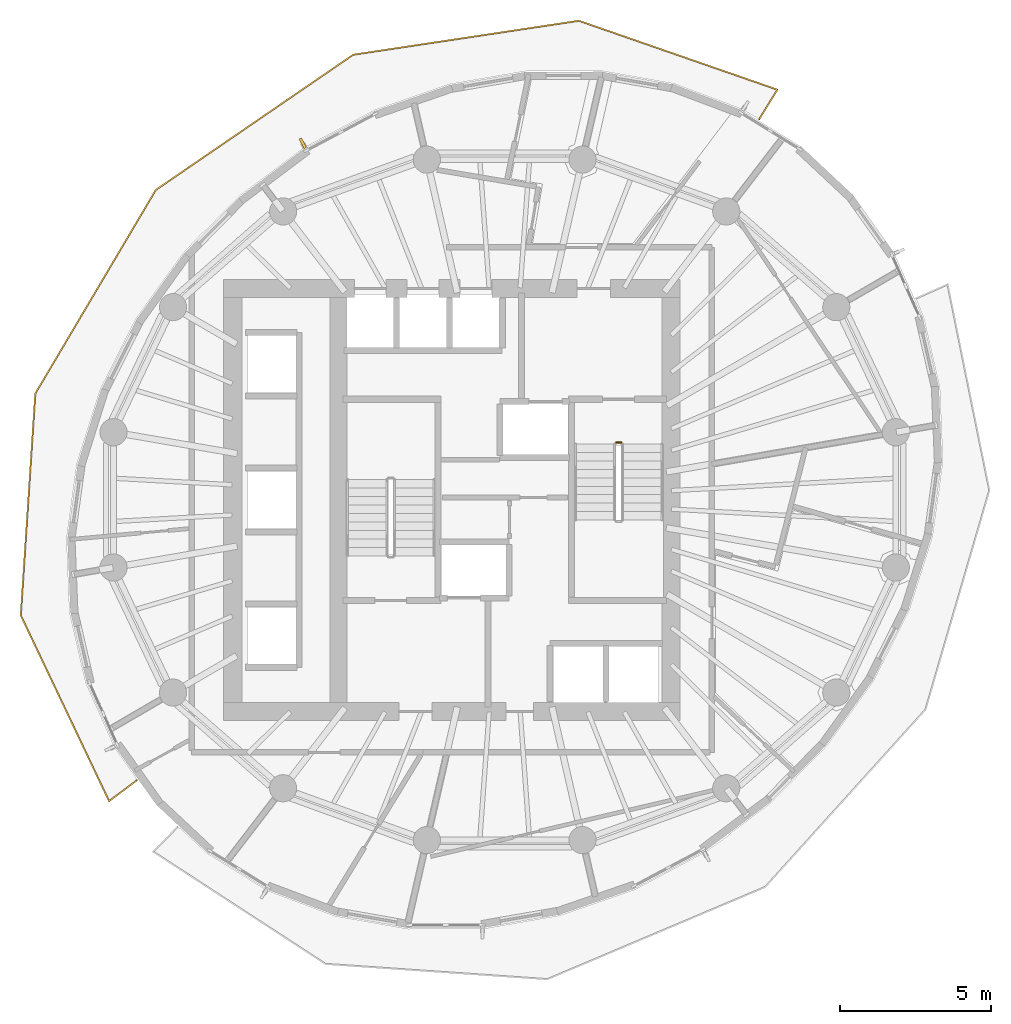
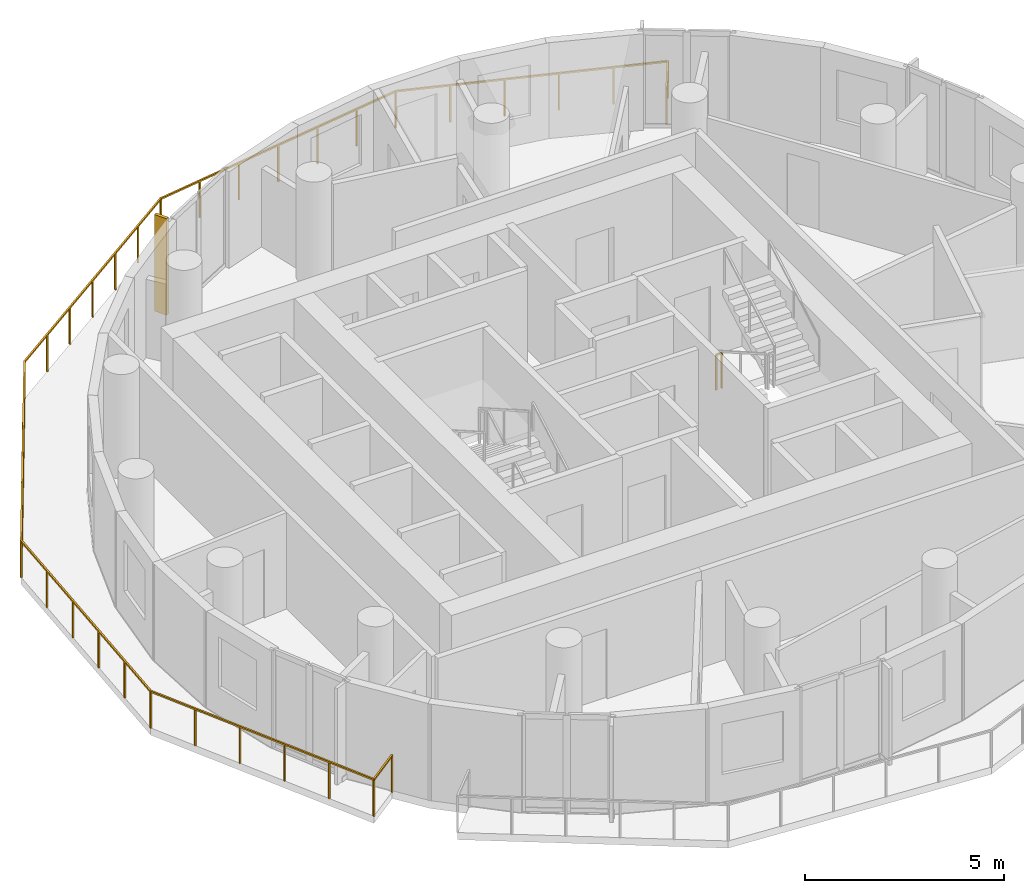
# One storey, part 9 of 10: 2 railings, 1 shading device.
"""IFC4 building model written with IfcOpenShell, lengths in metres."""

from ifc_helpers import new_model, si_unit, direction, frame, origin, origin_2d, place, context, subcontext, project, spatial, rectangle, extrude, material, layer, layer_set, type_object, element, save


model = new_model("IFC4")

# Units and contexts
model_context = context("Model", 3, precision=1e-05, world=origin(), true_north=direction((0.0, 1.0)))
body_context = subcontext(model_context, "Body", "Model", "MODEL_VIEW")
ifc_project = project(units=[si_unit("LENGTHUNIT", "METRE"), si_unit("AREAUNIT", "SQUARE_METRE"), si_unit("VOLUMEUNIT", "CUBIC_METRE"), si_unit("PLANEANGLEUNIT", "RADIAN"), si_unit("MASSUNIT", "GRAM", prefix="KILO")], contexts=[model_context])

# Site, building, storey
site_placement = place(None, origin())
site = spatial("IfcSite", under=ifc_project, at=site_placement, CompositionType="ELEMENT")
building_placement = place(site_placement, origin())
building = spatial("IfcBuilding", under=site, at=building_placement, Name="Veldorim Arch Residences", CompositionType="ELEMENT")
storey_placement = place(building_placement, frame((0.0, 0.0, 166.239990234375)))
storey = spatial("IfcBuildingStorey", under=building, at=storey_placement, Name="L49", CompositionType="ELEMENT", Elevation=166.239990234375)

# Railings
ifc_material_1 = material(Name="Aluminium", Category="aluminium")
railing_type_1 = type_object("IfcRailingType", Name="Balcony & Terrace Laminated Glass Balustrade 1150", PredefinedType="BALUSTRADE", material=ifc_material_1)
railing_1_placement = place(storey_placement, frame((40.425048828125, 36.59814453125, 0.0)))
element("IfcRailing", 1, at=railing_1_placement, inside=storey, type_object=railing_type_1, Name="L49 crescent balcony safety balustrade A", PredefinedType="BALUSTRADE", context=body_context, shape_type="SweptSolid", body=[
    extrude(rectangle(XDim=0.048095703125, YDim=0.048095703125, at=origin_2d()), frame((0.0, 0.0, 1.1259765625), z_axis=(0.524606682695, 0.851344717768, 0.0), x_axis=(-0.851344717768, 0.524606682695, 0.0)), (0.0, 0.0, 1.0), 1.14990234375),
    extrude(rectangle(XDim=0.048095703125, YDim=0.048095703125, at=origin_2d()), frame((0.603271484375, 0.97900390625, 1.1259765625), z_axis=(-0.944704924066, 0.32792164681, 0.0), x_axis=(-0.32792164681, -0.944704924066, 0.0)), (0.0, 0.0, 1.0), 6.956787109375),
    extrude(rectangle(XDim=0.048095703125, YDim=0.048095703125, at=origin_2d()), frame((-5.96875, 3.26025390625, 1.1259765625), z_axis=(-0.988865844183, -0.148809751723, 0.0), x_axis=(0.148809751723, -0.988865844183, 0.0)), (0.0, 0.0, 1.0), 7.55517578125),
    extrude(rectangle(XDim=0.048095703125, YDim=0.048095703125, at=origin_2d()), frame((-13.439697265625, 2.135986328125, 1.1259765625), z_axis=(-0.824983479583, -0.565156844085, 0.0), x_axis=(0.565156844085, -0.824983479583, 0.0)), (0.0, 0.0, 1.0), 7.919189453125),
    extrude(rectangle(XDim=0.048095703125, YDim=0.048095703125, at=origin_2d()), frame((-19.972900390625, -2.339599609375, 1.1259765625), z_axis=(-0.509292152255, -0.860593692547, 0.0), x_axis=(0.860593692547, -0.509292152255, 0.0)), (0.0, 0.0, 1.0), 7.83154296875),
    extrude(rectangle(XDim=0.048095703125, YDim=0.048095703125, at=origin_2d()), frame((-23.96142578125, -9.079345703125, 1.1259765625), z_axis=(-0.065340614692, -0.997863018691, 0.0), x_axis=(0.997863018691, -0.065340614692, 0.0)), (0.0, 0.0, 1.0), 7.35693359375),
    extrude(rectangle(XDim=0.048095703125, YDim=0.048095703125, at=origin_2d()), frame((-24.442138671875, -16.420654296875, 1.1259765625), z_axis=(0.429297420381, -0.903163177313, 0.0), x_axis=(0.903163177313, 0.429297420381, 0.0)), (0.0, 0.0, 1.0), 6.80908203125),
    extrude(rectangle(XDim=0.048095703125, YDim=0.048095703125, at=origin_2d()), frame((-21.51904296875, -22.5703125, 1.1259765625), z_axis=(0.801170297265, 0.598436425011, 0.0), x_axis=(-0.598436425011, 0.801170297265, 0.0)), (0.0, 0.0, 1.0), 1.150146484375),
    extrude(rectangle(XDim=0.0419921875, YDim=0.0419921875, at=origin_2d()), origin(), (0.0, 0.0, 1.0), 1.101806640625),
    extrude(rectangle(XDim=0.0419921875, YDim=0.0419921875, at=origin_2d()), frame((0.603271484375, 0.97900390625, 0.0)), (0.0, 0.0, 1.0), 1.101806640625),
    extrude(rectangle(XDim=0.0419921875, YDim=0.0419921875, at=origin_2d()), frame((-0.711181640625, 1.435302734375, 0.0)), (0.0, 0.0, 1.0), 1.101806640625),
    extrude(rectangle(XDim=0.0419921875, YDim=0.0419921875, at=origin_2d()), frame((-2.025634765625, 1.8916015625, 0.0)), (0.0, 0.0, 1.0), 1.101806640625),
    extrude(rectangle(XDim=0.0419921875, YDim=0.0419921875, at=origin_2d()), frame((-3.33984375, 2.34765625, 0.0)), (0.0, 0.0, 1.0), 1.101806640625),
    extrude(rectangle(XDim=0.0419921875, YDim=0.0419921875, at=origin_2d()), frame((-4.654296875, 2.803955078125, 0.0)), (0.0, 0.0, 1.0), 1.101806640625),
    extrude(rectangle(XDim=0.0419921875, YDim=0.0419921875, at=origin_2d()), frame((-5.96875, 3.26025390625, 0.0)), (0.0, 0.0, 1.0), 1.101806640625),
    extrude(rectangle(XDim=0.0419921875, YDim=0.0419921875, at=origin_2d()), frame((-7.2138671875, 3.07275390625, 0.0)), (0.0, 0.0, 1.0), 1.101806640625),
    extrude(rectangle(XDim=0.0419921875, YDim=0.0419921875, at=origin_2d()), frame((-8.458984375, 2.885498046875, 0.0)), (0.0, 0.0, 1.0), 1.101806640625),
    extrude(rectangle(XDim=0.0419921875, YDim=0.0419921875, at=origin_2d()), frame((-9.7041015625, 2.6982421875, 0.0)), (0.0, 0.0, 1.0), 1.101806640625),
    extrude(rectangle(XDim=0.0419921875, YDim=0.0419921875, at=origin_2d()), frame((-10.949462890625, 2.5107421875, 0.0)), (0.0, 0.0, 1.0), 1.101806640625),
    extrude(rectangle(XDim=0.0419921875, YDim=0.0419921875, at=origin_2d()), frame((-12.194580078125, 2.3232421875, 0.0)), (0.0, 0.0, 1.0), 1.101806640625),
    extrude(rectangle(XDim=0.0419921875, YDim=0.0419921875, at=origin_2d()), frame((-13.439697265625, 2.135986328125, 0.0)), (0.0, 0.0, 1.0), 1.101806640625),
    extrude(rectangle(XDim=0.0419921875, YDim=0.0419921875, at=origin_2d()), frame((-14.528564453125, 1.39013671875, 0.0)), (0.0, 0.0, 1.0), 1.101806640625),
    extrude(rectangle(XDim=0.0419921875, YDim=0.0419921875, at=origin_2d()), frame((-15.617431640625, 0.64404296875, 0.0)), (0.0, 0.0, 1.0), 1.101806640625),
    extrude(rectangle(XDim=0.0419921875, YDim=0.0419921875, at=origin_2d()), frame((-16.706298828125, -0.101806640625, 0.0)), (0.0, 0.0, 1.0), 1.101806640625),
    extrude(rectangle(XDim=0.0419921875, YDim=0.0419921875, at=origin_2d()), frame((-17.795166015625, -0.84765625, 0.0)), (0.0, 0.0, 1.0), 1.101806640625),
    extrude(rectangle(XDim=0.0419921875, YDim=0.0419921875, at=origin_2d()), frame((-18.884033203125, -1.59375, 0.0)), (0.0, 0.0, 1.0), 1.101806640625),
    extrude(rectangle(XDim=0.0419921875, YDim=0.0419921875, at=origin_2d()), frame((-19.972900390625, -2.339599609375, 0.0)), (0.0, 0.0, 1.0), 1.101806640625),
    extrude(rectangle(XDim=0.0419921875, YDim=0.0419921875, at=origin_2d()), frame((-20.6376953125, -3.462890625, 0.0)), (0.0, 0.0, 1.0), 1.101806640625),
    extrude(rectangle(XDim=0.0419921875, YDim=0.0419921875, at=origin_2d()), frame((-21.302490234375, -4.586181640625, 0.0)), (0.0, 0.0, 1.0), 1.101806640625),
    extrude(rectangle(XDim=0.0419921875, YDim=0.0419921875, at=origin_2d()), frame((-21.96728515625, -5.70947265625, 0.0)), (0.0, 0.0, 1.0), 1.101806640625),
    extrude(rectangle(XDim=0.0419921875, YDim=0.0419921875, at=origin_2d()), frame((-22.6318359375, -6.832763671875, 0.0)), (0.0, 0.0, 1.0), 1.101806640625),
    extrude(rectangle(XDim=0.0419921875, YDim=0.0419921875, at=origin_2d()), frame((-23.296630859375, -7.9560546875, 0.0)), (0.0, 0.0, 1.0), 1.101806640625),
    extrude(rectangle(XDim=0.0419921875, YDim=0.0419921875, at=origin_2d()), frame((-23.96142578125, -9.079345703125, 0.0)), (0.0, 0.0, 1.0), 1.101806640625),
    extrude(rectangle(XDim=0.0419921875, YDim=0.0419921875, at=origin_2d()), frame((-24.0576171875, -10.547607421875, 0.0)), (0.0, 0.0, 1.0), 1.101806640625),
    extrude(rectangle(XDim=0.0419921875, YDim=0.0419921875, at=origin_2d()), frame((-24.15380859375, -12.015869140625, 0.0)), (0.0, 0.0, 1.0), 1.101806640625),
    extrude(rectangle(XDim=0.0419921875, YDim=0.0419921875, at=origin_2d()), frame((-24.249755859375, -13.484130859375, 0.0)), (0.0, 0.0, 1.0), 1.101806640625),
    extrude(rectangle(XDim=0.0419921875, YDim=0.0419921875, at=origin_2d()), frame((-24.345947265625, -14.952392578125, 0.0)), (0.0, 0.0, 1.0), 1.101806640625),
    extrude(rectangle(XDim=0.0419921875, YDim=0.0419921875, at=origin_2d()), frame((-24.442138671875, -16.420654296875, 0.0)), (0.0, 0.0, 1.0), 1.101806640625),
    extrude(rectangle(XDim=0.0419921875, YDim=0.0419921875, at=origin_2d()), frame((-23.857421875, -17.650634765625, 0.0)), (0.0, 0.0, 1.0), 1.101806640625),
    extrude(rectangle(XDim=0.0419921875, YDim=0.0419921875, at=origin_2d()), frame((-23.27294921875, -18.880615234375, 0.0)), (0.0, 0.0, 1.0), 1.101806640625),
    extrude(rectangle(XDim=0.0419921875, YDim=0.0419921875, at=origin_2d()), frame((-22.688232421875, -20.1103515625, 0.0)), (0.0, 0.0, 1.0), 1.101806640625),
    extrude(rectangle(XDim=0.0419921875, YDim=0.0419921875, at=origin_2d()), frame((-22.103759765625, -21.34033203125, 0.0)), (0.0, 0.0, 1.0), 1.101806640625),
    extrude(rectangle(XDim=0.0419921875, YDim=0.0419921875, at=origin_2d()), frame((-21.51904296875, -22.5703125, 0.0)), (0.0, 0.0, 1.0), 1.101806640625),
    extrude(rectangle(XDim=0.0419921875, YDim=0.0419921875, at=origin_2d()), frame((-20.59765625, -21.882080078125, 0.0)), (0.0, 0.0, 1.0), 1.101806640625),
])
ifc_material_2 = material(Name="Steel S355", Category="steel")
railing_type_2 = type_object("IfcRailingType", Name="Galvanised Steel Stair Safety Guardrail 1100", PredefinedType="GUARDRAIL", material=ifc_material_2)
railing_2_placement = place(storey_placement, frame((35.68994140625, 25.89990234375, 0.0)))
element("IfcRailing", 2, at=railing_2_placement, inside=storey, type_object=railing_type_2, Name="L49 ST-2 stair guard 4", PredefinedType="GUARDRAIL", context=body_context, shape_type="SweptSolid", body=[
    extrude(rectangle(XDim=0.048095703125, YDim=0.048095703125, at=origin_2d()), frame((0.0, 0.0, 1.076171875), z_axis=(1.0, 0.0, 0.0), x_axis=(0.0, 1.0, 0.0)), (0.0, 0.0, 1.0), 0.16015625),
    extrude(rectangle(XDim=0.0419921875, YDim=0.0419921875, at=origin_2d()), origin(), (0.0, 0.0, 1.0), 1.052001953125),
    extrude(rectangle(XDim=0.0419921875, YDim=0.0419921875, at=origin_2d()), frame((0.16015625, 0.0, 0.0)), (0.0, 0.0, 1.0), 1.052001953125),
])

# Shading device
ifc_material_3 = material(Name="Terracotta Ceramic", Category="masonry")
ifc_layer = layer(ifc_material_3, 0.090087890625, Name="Vertical Extruded Terracotta Baguette Sun-Shading Fin")
ifc_layer_set = layer_set([ifc_layer], Name="Terracotta Ceramic")
shading_device_type = type_object("IfcShadingDeviceType", Name="Vertical Extruded Terracotta Baguette Sun-Shading Fin", PredefinedType="USERDEFINED", material=ifc_layer_set)
shading_device_placement = place(storey_placement, frame((25.316650390625, 35.805419921875, 0.0), z_axis=(0.0, 0.0, 1.0), x_axis=(0.882537565484, 0.470241901057, 0.0)))
element("IfcShadingDevice", 3, at=shading_device_placement, inside=storey, type_object=shading_device_type, Name="L49 vertical terracotta sun-shading fin 08", ObjectType="FIN", PredefinedType="USERDEFINED", context=body_context, shape_type="SweptSolid", body=[
    extrude(rectangle(XDim=0.090087890625, YDim=0.360107421875, at=origin_2d()), origin(), (0.0, 0.0, 1.0), 2.9599609375),
])

save(model, "model.ifc")
